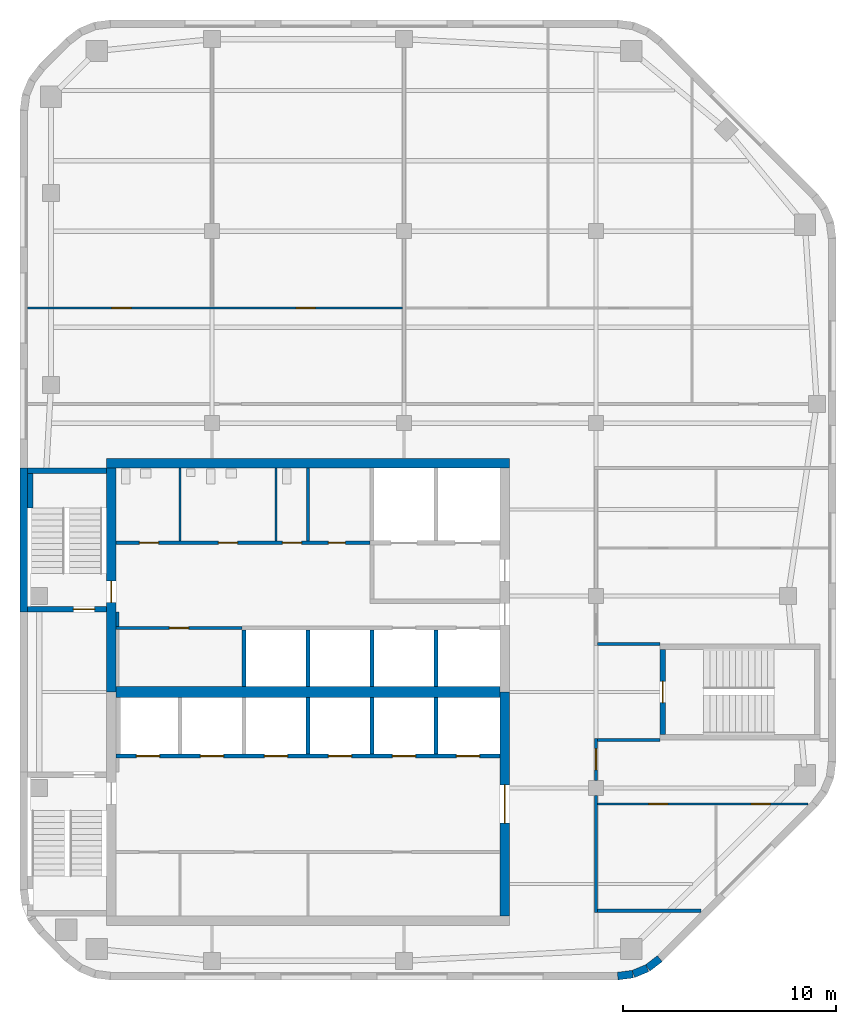
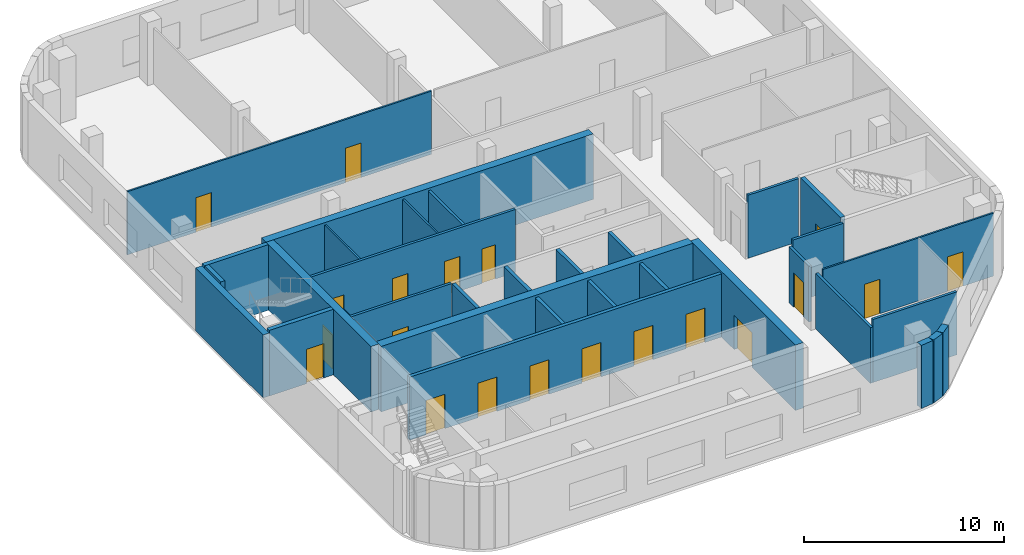
# One storey, part 3 of 7: 33 walls, 20 doors, 20 openings.
"""IFC4 building model written with IfcOpenShell, lengths in metres."""

import ifcopenshell
import ifcopenshell.guid

model = None  # the IFC model being written
_history = None  # IfcOwnerHistory: only IFC2X3 demands one
_inside = {}  # id of a spatial element -> (the spatial element, [elements in it])
_under = {}  # id of a project, library or spatial element -> (it, [spatial elements below it])
_declared = {}  # id of a project -> (the project, [libraries it declares])
_typed = {}  # id of a type object -> (the type object, [elements of that type])
_made_of = {}  # id of a material, layer set ... -> (it, [elements and type objects made of it])


def new_model(schema):
    """Start an empty IFC model of exactly this schema.

    Asked for "IFC4X3", IfcOpenShell would pick the latest addendum, in which some entities
    have other attributes; the version numbers below select the first issue.
    IFC2X3 requires an IfcOwnerHistory on every rooted entity: one is made here for all.
    """
    global model, _history
    if schema == "IFC4X3":
        model = ifcopenshell.file(schema_version=(4, 3, 0, 0))
    else:
        model = ifcopenshell.file(schema=schema)
    _inside.clear()
    _under.clear()
    _declared.clear()
    _typed.clear()
    _made_of.clear()
    _history = None
    if model.schema == "IFC2X3":
        org = make("IfcOrganization", Name="unknown")
        user = make(
            "IfcPersonAndOrganization",
            ThePerson=make("IfcPerson", FamilyName="unknown"),
            TheOrganization=org,
        )
        app = make(
            "IfcApplication",
            ApplicationDeveloper=org,
            Version="unknown",
            ApplicationFullName="unknown",
            ApplicationIdentifier="unknown",
        )
        _history = make(
            "IfcOwnerHistory",
            OwningUser=user,
            OwningApplication=app,
            ChangeAction="ADDED",
            CreationDate=0,
        )
    return model


def make(cls, **values):
    """One entity of the class cls with the attributes given. An attribute that is None is left unset."""
    return model.create_entity(
        cls, **{name: value for name, value in values.items() if value is not None}
    )


def rooted(cls, **values):
    """An entity with a GlobalId (a new one), such as an element, a storey or a relation."""
    return make(cls, GlobalId=ifcopenshell.guid.new(), OwnerHistory=_history, **values)


def si_unit(unit_type, name, prefix=None):
    """IfcSIUnit, for example si_unit("LENGTHUNIT", "METRE", prefix="MILLI")."""
    return make("IfcSIUnit", UnitType=unit_type, Prefix=prefix, Name=name)


def assignment(units):
    """IfcUnitAssignment: the units of a project."""
    return None if units is None else make("IfcUnitAssignment", Units=units)


def point(xyz):
    """IfcCartesianPoint."""
    return None if xyz is None else make("IfcCartesianPoint", Coordinates=xyz)


def direction(xyz):
    """IfcDirection."""
    return None if xyz is None else make("IfcDirection", DirectionRatios=xyz)


def frame(location, z_axis=None, x_axis=None):
    """IfcAxis2Placement3D, a coordinate frame: its origin and axes. An axis left out is left unset."""
    return make(
        "IfcAxis2Placement3D",
        Location=point(location),
        Axis=direction(z_axis),
        RefDirection=direction(x_axis),
    )


def frame_2d(location, x_axis=None):
    """IfcAxis2Placement2D, a coordinate frame in the plane: its origin and x axis."""
    return make(
        "IfcAxis2Placement2D", Location=point(location), RefDirection=direction(x_axis)
    )


def origin():
    """The frame at (0, 0, 0) with its axes left unset."""
    return frame((0.0, 0.0, 0.0))


def place(relative_to, where):
    """IfcLocalPlacement: puts the frame where relative to a parent placement (None: the world)."""
    return make(
        "IfcLocalPlacement", PlacementRelTo=relative_to, RelativePlacement=where
    )


def context(
    kind, dimensions, precision=None, world=None, true_north=None, identifier=None
):
    """IfcGeometricRepresentationContext, for example the 3D "Model" context."""
    return make(
        "IfcGeometricRepresentationContext",
        ContextIdentifier=identifier,
        ContextType=kind,
        CoordinateSpaceDimension=dimensions,
        Precision=precision,
        WorldCoordinateSystem=world,
        TrueNorth=true_north,
    )


def subcontext(parent, identifier, kind, view, scale=None):
    """IfcGeometricRepresentationSubContext, for example "Body" below "Model"."""
    return make(
        "IfcGeometricRepresentationSubContext",
        ContextIdentifier=identifier,
        ContextType=kind,
        ParentContext=parent,
        TargetScale=scale,
        TargetView=view,
    )


def project(units=None, contexts=None):
    """IfcProject with its units and contexts."""
    return rooted(
        "IfcProject",
        Name="project",
        RepresentationContexts=contexts,
        UnitsInContext=assignment(units),
    )


def spatial(cls, under=None, at=None, **own):
    """A site, building, storey or space (cls), placed at a placement, below another one or the project."""
    s = rooted(cls, ObjectPlacement=at, **own)
    if under is not None:
        _under.setdefault(under.id(), (under, []))[1].append(s)
    return s


def profile(cls, at=None, kind="AREA", **sizes):
    """A parametric profile (cls). Its sizes go by their IFC names, for example OverallWidth=200.0."""
    return make(cls, ProfileType=kind, Position=at, **sizes)


def rectangle(**sizes):
    """IfcRectangleProfileDef."""
    return profile("IfcRectangleProfileDef", **sizes)


def extrude(swept, where, along, depth):
    """IfcExtrudedAreaSolid: the profile swept, set in the frame where, extruded along a direction by depth."""
    return make(
        "IfcExtrudedAreaSolid",
        SweptArea=swept,
        Position=where,
        ExtrudedDirection=direction(along),
        Depth=depth,
    )


def shape(context_of_items, identifier, shape_type, items):
    """IfcShapeRepresentation: the items that make up one representation, for example the "Body"."""
    return make(
        "IfcShapeRepresentation",
        ContextOfItems=context_of_items,
        RepresentationIdentifier=identifier,
        RepresentationType=shape_type,
        Items=items,
    )


def material(Name=None, Category=None):
    """IfcMaterial."""
    return make("IfcMaterial", Name=Name, Category=Category)


def layer(
    of_material, thickness, ventilated=None, Name=None, Category=None, Priority=None
):
    """IfcMaterialLayer: one layer of a wall or slab, of a material (None: an air gap)."""
    return make(
        "IfcMaterialLayer",
        Material=of_material,
        LayerThickness=thickness,
        IsVentilated=ventilated,
        Name=Name,
        Category=Category,
        Priority=Priority,
    )


def layer_set(layers, Name=None):
    """IfcMaterialLayerSet."""
    return make("IfcMaterialLayerSet", MaterialLayers=layers, LayerSetName=Name)


def made_of(thing, what):
    """Note that an element or type object is made of a material, layer set ...; save() writes the relation."""
    if what is not None:
        _made_of.setdefault(what.id(), (what, []))[1].append(thing)
    return thing


def type_object(cls, material=None, **own):
    """A type object (cls), such as IfcWallType, which elements share."""
    return made_of(rooted(cls, **own), material)


def element(
    cls,
    number,
    at=None,
    inside=None,
    cuts=None,
    type_object=None,
    material=None,
    context=None,
    identifier="Body",
    shape_type=None,
    held_by="IfcProductDefinitionShape",
    body=None,
    shapes=None,
    **own,
):
    """One element of the class cls, such as IfcWall. Its Tag is "e" and its number.

    at: its placement. inside: the storey or other place that contains it. cuts: it is an
    opening in that element (IfcRelVoidsElement). A single representation is given by context,
    identifier, shape_type and body (its items); several are given by shapes. held_by: the class
    of the entity that holds the representations. save() writes the other relations.
    """
    e = rooted(cls, Tag="e%d" % number, ObjectPlacement=at, **own)
    if body is not None:
        shapes = [shape(context, identifier, shape_type, body)]
    if shapes is not None:
        e.Representation = make(held_by, Representations=shapes)
    if inside is not None:
        _inside.setdefault(inside.id(), (inside, []))[1].append(e)
    if cuts is not None:
        rooted(
            "IfcRelVoidsElement", RelatingBuildingElement=cuts, RelatedOpeningElement=e
        )
    if type_object is not None:
        _typed.setdefault(type_object.id(), (type_object, []))[1].append(e)
    return made_of(e, material)


def fill(opening, filler):
    """IfcRelFillsElement: the door or window that sits in an opening."""
    return rooted(
        "IfcRelFillsElement",
        RelatingOpeningElement=opening,
        RelatedBuildingElement=filler,
    )


def aggregate(whole, parts):
    """IfcRelAggregates: a whole, such as a stair, and the parts it consists of."""
    return rooted("IfcRelAggregates", RelatingObject=whole, RelatedObjects=parts)


def save(model, path):
    """Write the relations noted so far, then the file.

    IfcRelAggregates (storeys below a building ...), IfcRelContainedInSpatialStructure (elements
    in a storey), IfcRelDefinesByType, IfcRelAssociatesMaterial and IfcRelDeclares: one each for
    every whole, place, type object, material and project.
    """
    for whole, parts in _under.values():
        aggregate(whole, parts)
    for where, things in _inside.values():
        rooted(
            "IfcRelContainedInSpatialStructure",
            RelatedElements=things,
            RelatingStructure=where,
        )
    for kind, things in _typed.values():
        rooted("IfcRelDefinesByType", RelatedObjects=things, RelatingType=kind)
    for what, things in _made_of.values():
        rooted("IfcRelAssociatesMaterial", RelatedObjects=things, RelatingMaterial=what)
    for by, libraries in _declared.values():
        rooted("IfcRelDeclares", RelatingContext=by, RelatedDefinitions=libraries)
    model.write(path)


model = new_model("IFC4")

# Units and contexts
model_context = context("Model", 3, precision=1e-05, world=origin(), true_north=direction((0.0, 1.0)))
body_context = subcontext(model_context, "Body", "Model", "MODEL_VIEW")
ifc_project = project(units=[si_unit("LENGTHUNIT", "METRE"), si_unit("AREAUNIT", "SQUARE_METRE"), si_unit("VOLUMEUNIT", "CUBIC_METRE"), si_unit("PLANEANGLEUNIT", "RADIAN"), si_unit("MASSUNIT", "GRAM", prefix="KILO")], contexts=[model_context])

# Site, building, storey
site_placement = place(None, origin())
site = spatial("IfcSite", under=ifc_project, at=site_placement, CompositionType="ELEMENT")
building_placement = place(site_placement, origin())
building = spatial("IfcBuilding", under=site, at=building_placement, Name="Cinnabar Reach Civic Tower", CompositionType="ELEMENT")
storey_placement = place(building_placement, frame((0.0, 0.0, 263.0)))
storey = spatial("IfcBuildingStorey", under=building, at=storey_placement, Name="L63", CompositionType="ELEMENT", Elevation=263.0)

# Walls
ifc_material_1 = material(Name="Facing brick with insulated backing", Category="masonry")
ifc_layer_1 = layer(ifc_material_1, 0.36)
ifc_layer_set_1 = layer_set([ifc_layer_1], Name="Brick corner wall")
wall_type_1 = type_object("IfcWallType", Name="Brick corner wall", PredefinedType="STANDARD", material=ifc_layer_set_1)
for number, where, z_axis, x_axis, name in (
    (1, (28.0186, 18.183, 0.0), (0.0, 0.0, 1.0), (0.99144092581, 0.13055608231, 0.0), "Brick corner wall"),
    (2, (28.7473, 18.2819, 0.0), (0.0, 0.0, 1.0), (0.923871547278, 0.382702709855, 0.0), "Brick corner wall"),
):
    element("IfcWall", number, at=place(storey_placement, frame(where, z_axis=z_axis, x_axis=x_axis)), inside=storey, type_object=wall_type_1, Name=name, PredefinedType="STANDARD", context=body_context, shape_type="SweptSolid", body=[
        extrude(rectangle(XDim=0.7131, YDim=0.36, at=frame_2d((0.3565, 0.0))), origin(), (0.0, 0.0, 1.0), 3.85),
    ])
wall_1_placement = place(storey_placement, frame((29.4255, 18.566, 0.0), z_axis=(0.0, 0.0, 1.0), x_axis=(0.793321924995, 0.608802368033, 0.0)))
element("IfcWall", 3, at=wall_1_placement, inside=storey, type_object=wall_type_1, Name="Brick corner wall", PredefinedType="STANDARD", context=body_context, shape_type="SweptSolid", body=[
    extrude(rectangle(XDim=0.7132, YDim=0.36, at=frame_2d((0.3566, 0.0))), origin(), (0.0, 0.0, 1.0), 3.85),
])
ifc_layer_2 = layer(ifc_material_1, 0.36)
ifc_layer_set_2 = layer_set([ifc_layer_2], Name="Brick pier and spandrel wall")
wall_type_2 = type_object("IfcWallType", Name="Brick pier and spandrel wall", PredefinedType="STANDARD", material=ifc_layer_set_2)
wall_2_placement = place(storey_placement, frame((0.18, 42.0, 0.0), z_axis=(0.0, 0.0, 1.0), x_axis=(0.0, -1.0, 0.0)))
element("IfcWall", 4, at=wall_2_placement, inside=storey, type_object=wall_type_2, Name="Brick facade wall", PredefinedType="STANDARD", context=body_context, shape_type="SweptSolid", body=[
    extrude(rectangle(XDim=6.75, YDim=0.36, at=frame_2d((3.375, 0.0))), origin(), (0.0, 0.0, 1.0), 3.85),
])
ifc_material_2 = material(Name="Concrete C60", Category="concrete")
ifc_layer_3 = layer(ifc_material_2, 0.45)
ifc_layer_set_3 = layer_set([ifc_layer_3], Name="Core wall 450 EI 180")
wall_type_3 = type_object("IfcWallType", Name="Core wall 450 EI 180", PredefinedType="SOLIDWALL", material=ifc_layer_set_3)
wall_3_placement = place(storey_placement, frame((22.95, 42.225, 0.0), z_axis=(0.0, 0.0, 1.0), x_axis=(-1.0, 0.0, 0.0)))
element("IfcWall", 5, at=wall_3_placement, inside=storey, type_object=wall_type_3, Name="Core wall T1 L63 N", PredefinedType="SOLIDWALL", context=body_context, shape_type="SweptSolid", body=[
    extrude(rectangle(XDim=18.9, YDim=0.45, at=frame_2d((9.45, 0.0))), origin(), (0.0, 0.0, 1.0), 4.0),
])

# Wall, opening, door
wall_4_placement = place(storey_placement, frame((22.725, 21.0, 0.0), z_axis=(0.0, 0.0, 1.0), x_axis=(0.0, 1.0, 0.0)))
wall_4 = element("IfcWall", 6, at=wall_4_placement, inside=storey, type_object=wall_type_3, Name="Core wall T1 L63 E", PredefinedType="SOLIDWALL", context=body_context, shape_type="SweptSolid", body=[
    extrude(rectangle(XDim=10.5, YDim=0.45, at=frame_2d((5.25, 0.0))), origin(), (0.0, 0.0, 1.0), 4.0),
])
opening_1_placement = place(wall_4_placement, frame((4.35, 0.0, 0.0)))
opening_1 = element("IfcOpeningElement", 7, at=opening_1_placement, cuts=wall_4, Name="Opening D5520", PredefinedType="OPENING", context=body_context, shape_type="SweptSolid", body=[
    extrude(rectangle(XDim=1.8, YDim=2.1, at=frame_2d((0.9, 1.05))), frame((0.0, 0.235, 0.0), z_axis=(0.0, -1.0, 0.0), x_axis=(1.0, 0.0, 0.0)), (0.0, 0.0, 1.0), 0.47),
])
ifc_material_3 = material(Name="Timber door leaf in steel frame", Category="steel")
door_type_1 = type_object("IfcDoorType", Name="Double swing door 1800 x 2100 T1", OperationType="DOUBLE_DOOR_DOUBLE_SWING", PredefinedType="DOOR", material=ifc_material_3)
door_1_placement = place(opening_1_placement, origin())
door_1 = element("IfcDoor", 8, at=door_1_placement, inside=storey, type_object=door_type_1, Name="Door D5520", OperationType="DOUBLE_DOOR_DOUBLE_SWING", OverallHeight=2.1, OverallWidth=1.8, PredefinedType="DOOR", context=body_context, shape_type="SweptSolid", body=[
    extrude(rectangle(XDim=1.8, YDim=2.1, at=frame_2d((0.9, 1.05))), frame((0.0, 0.025, 0.0), z_axis=(0.0, -1.0, 0.0), x_axis=(1.0, 0.0, 0.0)), (0.0, 0.0, 1.0), 0.05),
])
fill(opening_1, door_1)

wall_5_placement = place(storey_placement, frame((4.275, 42.0, 0.0), z_axis=(0.0, 0.0, 1.0), x_axis=(0.0, -1.0, 0.0)))
wall_5 = element("IfcWall", 9, at=wall_5_placement, inside=storey, type_object=wall_type_3, Name="Core wall T1 L63 W", PredefinedType="SOLIDWALL", context=body_context, shape_type="SweptSolid", body=[
    extrude(rectangle(XDim=10.5, YDim=0.45, at=frame_2d((5.25, 0.0))), origin(), (0.0, 0.0, 1.0), 4.0),
])
opening_2_placement = place(wall_5_placement, frame((5.3, 0.0, 0.0)))
opening_2 = element("IfcOpeningElement", 10, at=opening_2_placement, cuts=wall_5, Name="Opening D5508", PredefinedType="OPENING", context=body_context, shape_type="SweptSolid", body=[
    extrude(rectangle(XDim=1.0, YDim=2.1, at=frame_2d((0.5, 1.05))), frame((0.0, 0.235, 0.0), z_axis=(0.0, -1.0, 0.0), x_axis=(1.0, 0.0, 0.0)), (0.0, 0.0, 1.0), 0.47),
])
door_type_2 = type_object("IfcDoorType", Name="Stair door 1000 x 2100 T1", OperationType="SINGLE_SWING_LEFT", PredefinedType="DOOR", material=ifc_material_3)
door_2_placement = place(opening_2_placement, frame((1.0, 0.0, 0.0), z_axis=(0.0, 0.0, 1.0), x_axis=(-1.0, 0.0, 0.0)))
door_2 = element("IfcDoor", 11, at=door_2_placement, inside=storey, type_object=door_type_2, Name="Door D5508", OperationType="SINGLE_SWING_LEFT", OverallHeight=2.1, OverallWidth=1.0, PredefinedType="DOOR", context=body_context, shape_type="SweptSolid", body=[
    extrude(rectangle(XDim=1.0, YDim=2.1, at=frame_2d((0.5, 1.05))), frame((0.0, 0.025, 0.0), z_axis=(0.0, -1.0, 0.0), x_axis=(1.0, 0.0, 0.0)), (0.0, 0.0, 1.0), 0.05),
])
fill(opening_2, door_2)

# Wall
ifc_layer_4 = layer(ifc_material_2, 0.5)
ifc_layer_set_4 = layer_set([ifc_layer_4], Name="Core wall 500 EI 180")
wall_type_4 = type_object("IfcWallType", Name="Core wall 500 EI 180", PredefinedType="SOLIDWALL", material=ifc_layer_set_4)
wall_6_placement = place(storey_placement, frame((4.5, 31.5, 0.0), z_axis=(0.0, 0.0, 1.0), x_axis=(1.0, 0.0, 0.0)))
element("IfcWall", 12, at=wall_6_placement, inside=storey, type_object=wall_type_4, Name="Core spine wall T1 L63", PredefinedType="SOLIDWALL", context=body_context, shape_type="SweptSolid", body=[
    extrude(rectangle(XDim=18.0, YDim=0.5, at=frame_2d((9.0, 0.0))), origin(), (0.0, 0.0, 1.0), 4.0),
])

# Wall, openings, doors
ifc_material_4 = material(Name="Gypsum board on steel studs, double layer", Category="steel")
ifc_layer_5 = layer(ifc_material_4, 0.15)
ifc_layer_set_5 = layer_set([ifc_layer_5], Name="Corridor wall 150 T1")
wall_type_5 = type_object("IfcWallType", Name="Corridor wall 150 T1", PredefinedType="PARTITIONING", material=ifc_layer_set_5)
wall_7_placement = place(storey_placement, frame((4.5, 38.5, 0.0), z_axis=(0.0, 0.0, 1.0), x_axis=(1.0, 0.0, 0.0)))
wall_7 = element("IfcWall", 13, at=wall_7_placement, inside=storey, type_object=wall_type_5, Name="Corridor wall 20", PredefinedType="PARTITIONING", context=body_context, shape_type="SweptSolid", body=[
    extrude(rectangle(XDim=11.9, YDim=0.15, at=frame_2d((5.95, 0.0))), origin(), (0.0, 0.0, 1.0), 3.85),
])
opening_3_placement = place(wall_7_placement, frame((1.1, 0.0, 0.0)))
opening_3 = element("IfcOpeningElement", 14, at=opening_3_placement, cuts=wall_7, Name="Opening D5528", PredefinedType="OPENING", context=body_context, shape_type="SweptSolid", body=[
    extrude(rectangle(XDim=0.9, YDim=2.1, at=frame_2d((0.45, 1.05))), frame((0.0, 0.085, 0.0), z_axis=(0.0, -1.0, 0.0), x_axis=(1.0, 0.0, 0.0)), (0.0, 0.0, 1.0), 0.17),
])
opening_4_placement = place(wall_7_placement, frame((4.8, 0.0, 0.0)))
opening_4 = element("IfcOpeningElement", 15, at=opening_4_placement, cuts=wall_7, Name="Opening D5529", PredefinedType="OPENING", context=body_context, shape_type="SweptSolid", body=[
    extrude(rectangle(XDim=0.9, YDim=2.1, at=frame_2d((0.45, 1.05))), frame((0.0, 0.085, 0.0), z_axis=(0.0, -1.0, 0.0), x_axis=(1.0, 0.0, 0.0)), (0.0, 0.0, 1.0), 0.17),
])
opening_5_placement = place(wall_7_placement, frame((7.8, 0.0, 0.0)))
opening_5 = element("IfcOpeningElement", 16, at=opening_5_placement, cuts=wall_7, Name="Opening D5530", PredefinedType="OPENING", context=body_context, shape_type="SweptSolid", body=[
    extrude(rectangle(XDim=0.9, YDim=2.1, at=frame_2d((0.45, 1.05))), frame((0.0, 0.085, 0.0), z_axis=(0.0, -1.0, 0.0), x_axis=(1.0, 0.0, 0.0)), (0.0, 0.0, 1.0), 0.17),
])
opening_6_placement = place(wall_7_placement, frame((9.95, 0.0, 0.0)))
opening_6 = element("IfcOpeningElement", 17, at=opening_6_placement, cuts=wall_7, Name="Opening D5531", PredefinedType="OPENING", context=body_context, shape_type="SweptSolid", body=[
    extrude(rectangle(XDim=0.8, YDim=2.1, at=frame_2d((0.4, 1.05))), frame((0.0, 0.085, 0.0), z_axis=(0.0, -1.0, 0.0), x_axis=(1.0, 0.0, 0.0)), (0.0, 0.0, 1.0), 0.17),
])
door_type_3 = type_object("IfcDoorType", Name="Riser access door 800 x 2100 T1", OperationType="SINGLE_SWING_LEFT", PredefinedType="DOOR", material=ifc_material_3)
door_3_placement = place(opening_6_placement, origin())
door_3 = element("IfcDoor", 18, at=door_3_placement, inside=storey, type_object=door_type_3, Name="Door D5531", OperationType="SINGLE_SWING_RIGHT", OverallHeight=2.1, OverallWidth=0.8, PredefinedType="DOOR", context=body_context, shape_type="SweptSolid", body=[
    extrude(rectangle(XDim=0.8, YDim=2.1, at=frame_2d((0.4, 1.05))), frame((0.0, 0.025, 0.0), z_axis=(0.0, -1.0, 0.0), x_axis=(1.0, 0.0, 0.0)), (0.0, 0.0, 1.0), 0.05),
])
fill(opening_6, door_3)
door_type_4 = type_object("IfcDoorType", Name="Single swing door 900 x 2100 corridor T1", OperationType="SINGLE_SWING_LEFT", PredefinedType="DOOR", material=ifc_material_3)
door_4_placement = place(opening_3_placement, origin())
door_4 = element("IfcDoor", 19, at=door_4_placement, inside=storey, type_object=door_type_4, Name="Door D5528", OperationType="SINGLE_SWING_LEFT", OverallHeight=2.1, OverallWidth=0.9, PredefinedType="DOOR", context=body_context, shape_type="SweptSolid", body=[
    extrude(rectangle(XDim=0.9, YDim=2.1, at=frame_2d((0.45, 1.05))), frame((0.0, 0.025, 0.0), z_axis=(0.0, -1.0, 0.0), x_axis=(1.0, 0.0, 0.0)), (0.0, 0.0, 1.0), 0.05),
])
fill(opening_3, door_4)
door_5_placement = place(opening_4_placement, origin())
door_5 = element("IfcDoor", 20, at=door_5_placement, inside=storey, type_object=door_type_4, Name="Door D5529", OperationType="SINGLE_SWING_RIGHT", OverallHeight=2.1, OverallWidth=0.9, PredefinedType="DOOR", context=body_context, shape_type="SweptSolid", body=[
    extrude(rectangle(XDim=0.9, YDim=2.1, at=frame_2d((0.45, 1.05))), frame((0.0, 0.025, 0.0), z_axis=(0.0, -1.0, 0.0), x_axis=(1.0, 0.0, 0.0)), (0.0, 0.0, 1.0), 0.05),
])
fill(opening_4, door_5)
door_6_placement = place(opening_5_placement, origin())
door_6 = element("IfcDoor", 21, at=door_6_placement, inside=storey, type_object=door_type_4, Name="Door D5530", OperationType="SINGLE_SWING_RIGHT", OverallHeight=2.1, OverallWidth=0.9, PredefinedType="DOOR", context=body_context, shape_type="SweptSolid", body=[
    extrude(rectangle(XDim=0.9, YDim=2.1, at=frame_2d((0.45, 1.05))), frame((0.0, 0.025, 0.0), z_axis=(0.0, -1.0, 0.0), x_axis=(1.0, 0.0, 0.0)), (0.0, 0.0, 1.0), 0.05),
])
fill(opening_5, door_6)

# Wall
wall_8_placement = place(storey_placement, frame((27.0, 21.175, 0.0), z_axis=(0.0, 0.0, 1.0), x_axis=(0.0, 1.0, 0.0)))
element("IfcWall", 22, at=wall_8_placement, inside=storey, type_object=wall_type_5, Name="Corridor wall 24", PredefinedType="PARTITIONING", context=body_context, shape_type="SweptSolid", body=[
    extrude(rectangle(XDim=5.475, YDim=0.15, at=frame_2d((2.7375, 0.0))), origin(), (0.0, 0.0, 1.0), 3.4),
])

# Wall, opening, door
wall_9_placement = place(storey_placement, frame((27.0, 27.35, 0.0), z_axis=(0.0, 0.0, 1.0), x_axis=(0.0, 1.0, 0.0)))
wall_9 = element("IfcWall", 23, at=wall_9_placement, inside=storey, type_object=wall_type_5, Name="Corridor wall 25", PredefinedType="PARTITIONING", context=body_context, shape_type="SweptSolid", body=[
    extrude(rectangle(XDim=1.975, YDim=0.15, at=frame_2d((0.9875, 0.0))), origin(), (0.0, 0.0, 1.0), 3.4),
])
opening_7_placement = place(wall_9_placement, frame((0.5, 0.0, 0.0)))
opening_7 = element("IfcOpeningElement", 24, at=opening_7_placement, cuts=wall_9, Name="Opening D5535", PredefinedType="OPENING", context=body_context, shape_type="SweptSolid", body=[
    extrude(rectangle(XDim=1.0, YDim=2.1, at=frame_2d((0.5, 1.05))), frame((0.0, 0.085, 0.0), z_axis=(0.0, -1.0, 0.0), x_axis=(1.0, 0.0, 0.0)), (0.0, 0.0, 1.0), 0.17),
])
door_type_5 = type_object("IfcDoorType", Name="Tenancy entrance door 1000 x 2100 T1", OperationType="SINGLE_SWING_LEFT", PredefinedType="DOOR", material=ifc_material_3)
door_7_placement = place(opening_7_placement, frame((1.0, 0.0, 0.0), z_axis=(0.0, 0.0, 1.0), x_axis=(-1.0, 0.0, 0.0)))
door_7 = element("IfcDoor", 25, at=door_7_placement, inside=storey, type_object=door_type_5, Name="Door D5535", OperationType="SINGLE_SWING_LEFT", OverallHeight=2.1, OverallWidth=1.0, PredefinedType="DOOR", context=body_context, shape_type="SweptSolid", body=[
    extrude(rectangle(XDim=1.0, YDim=2.1, at=frame_2d((0.5, 1.05))), frame((0.0, 0.025, 0.0), z_axis=(0.0, -1.0, 0.0), x_axis=(1.0, 0.0, 0.0)), (0.0, 0.0, 1.0), 0.05),
])
fill(opening_7, door_7)

wall_10_placement = place(storey_placement, frame((4.5, 34.5, 0.0), z_axis=(0.0, 0.0, 1.0), x_axis=(1.0, 0.0, 0.0)))
wall_10 = element("IfcWall", 26, at=wall_10_placement, inside=storey, type_object=wall_type_5, Name="Corridor wall 26", PredefinedType="PARTITIONING", context=body_context, shape_type="SweptSolid", body=[
    extrude(rectangle(XDim=5.9, YDim=0.15, at=frame_2d((2.95, 0.0))), origin(), (0.0, 0.0, 1.0), 3.85),
])
opening_8_placement = place(wall_10_placement, frame((2.5, 0.0, 0.0)))
opening_8 = element("IfcOpeningElement", 27, at=opening_8_placement, cuts=wall_10, Name="Opening D5527", PredefinedType="OPENING", context=body_context, shape_type="SweptSolid", body=[
    extrude(rectangle(XDim=0.9, YDim=2.1, at=frame_2d((0.45, 1.05))), frame((0.0, 0.085, 0.0), z_axis=(0.0, -1.0, 0.0), x_axis=(1.0, 0.0, 0.0)), (0.0, 0.0, 1.0), 0.17),
])
door_8_placement = place(opening_8_placement, frame((0.9, 0.0, 0.0), z_axis=(0.0, 0.0, 1.0), x_axis=(-1.0, 0.0, 0.0)))
door_8 = element("IfcDoor", 28, at=door_8_placement, inside=storey, type_object=door_type_4, Name="Door D5527", OperationType="SINGLE_SWING_RIGHT", OverallHeight=2.1, OverallWidth=0.9, PredefinedType="DOOR", context=body_context, shape_type="SweptSolid", body=[
    extrude(rectangle(XDim=0.9, YDim=2.1, at=frame_2d((0.45, 1.05))), frame((0.0, 0.025, 0.0), z_axis=(0.0, -1.0, 0.0), x_axis=(1.0, 0.0, 0.0)), (0.0, 0.0, 1.0), 0.05),
])
fill(opening_8, door_8)

# Walls
wall_11_placement = place(storey_placement, frame((27.075, 21.25, 0.0), z_axis=(0.0, 0.0, 1.0), x_axis=(1.0, 0.0, 0.0)))
element("IfcWall", 29, at=wall_11_placement, inside=storey, type_object=wall_type_5, Name="Corridor wall 27", PredefinedType="PARTITIONING", context=body_context, shape_type="SweptSolid", body=[
    extrude(rectangle(XDim=4.841, YDim=0.15, at=frame_2d((2.4205, 0.0))), origin(), (0.0, 0.0, 1.0), 3.85),
])
wall_12_placement = place(storey_placement, frame((4.575, 34.575, 0.0), z_axis=(0.0, 0.0, 1.0), x_axis=(0.0, 1.0, 0.0)))
element("IfcWall", 30, at=wall_12_placement, inside=storey, type_object=wall_type_5, Name="Corridor wall 28", PredefinedType="PARTITIONING", context=body_context, shape_type="SweptSolid", body=[
    extrude(rectangle(XDim=0.675, YDim=0.15, at=frame_2d((0.3375, 0.0))), origin(), (0.0, 0.0, 1.0), 3.85),
])
for number, where, z_axis, x_axis, name in (
    (31, (27.075, 29.25, 0.0), (0.0, 0.0, 1.0), (1.0, 0.0, 0.0), "Corridor wall 30"),
    (32, (27.075, 33.75, 0.0), (0.0, 0.0, 1.0), (1.0, 0.0, 0.0), "Corridor wall 31"),
):
    element("IfcWall", number, at=place(storey_placement, frame(where, z_axis=z_axis, x_axis=x_axis)), inside=storey, type_object=wall_type_5, Name=name, PredefinedType="PARTITIONING", context=body_context, shape_type="SweptSolid", body=[
        extrude(rectangle(XDim=2.925, YDim=0.15, at=frame_2d((1.4625, 0.0))), origin(), (0.0, 0.0, 1.0), 3.85),
    ])

# Wall, openings, doors
ifc_material_5 = material(Name="Blockwork", Category="masonry")
ifc_layer_6 = layer(ifc_material_5, 0.2)
ifc_layer_set_6 = layer_set([ifc_layer_6], Name="Lift shaft wall 200 T1")
wall_type_6 = type_object("IfcWallType", Name="Lift shaft wall 200 T1", PredefinedType="PARTITIONING", material=ifc_layer_set_6)
wall_13_placement = place(storey_placement, frame((4.5, 28.5, 0.0), z_axis=(0.0, 0.0, 1.0), x_axis=(1.0, 0.0, 0.0)))
wall_13 = element("IfcWall", 33, at=wall_13_placement, inside=storey, type_object=wall_type_6, Name="Lift shaft wall 4", PredefinedType="PARTITIONING", context=body_context, shape_type="SweptSolid", body=[
    extrude(rectangle(XDim=18.0, YDim=0.2, at=frame_2d((9.0, 0.0))), origin(), (0.0, 0.0, 1.0), 3.85),
])
opening_9_placement = place(wall_13_placement, frame((0.95, 0.0, 0.0)))
opening_9 = element("IfcOpeningElement", 34, at=opening_9_placement, cuts=wall_13, Name="Opening D5510", PredefinedType="OPENING", context=body_context, shape_type="SweptSolid", body=[
    extrude(rectangle(XDim=1.1, YDim=2.1, at=frame_2d((0.55, 1.05))), frame((0.0, 0.11, 0.0), z_axis=(0.0, -1.0, 0.0), x_axis=(1.0, 0.0, 0.0)), (0.0, 0.0, 1.0), 0.22),
])
opening_10_placement = place(wall_13_placement, frame((3.95, 0.0, 0.0)))
opening_10 = element("IfcOpeningElement", 35, at=opening_10_placement, cuts=wall_13, Name="Opening D5511", PredefinedType="OPENING", context=body_context, shape_type="SweptSolid", body=[
    extrude(rectangle(XDim=1.1, YDim=2.1, at=frame_2d((0.55, 1.05))), frame((0.0, 0.11, 0.0), z_axis=(0.0, -1.0, 0.0), x_axis=(1.0, 0.0, 0.0)), (0.0, 0.0, 1.0), 0.22),
])
opening_11_placement = place(wall_13_placement, frame((6.95, 0.0, 0.0)))
opening_11 = element("IfcOpeningElement", 36, at=opening_11_placement, cuts=wall_13, Name="Opening D5512", PredefinedType="OPENING", context=body_context, shape_type="SweptSolid", body=[
    extrude(rectangle(XDim=1.1, YDim=2.1, at=frame_2d((0.55, 1.05))), frame((0.0, 0.11, 0.0), z_axis=(0.0, -1.0, 0.0), x_axis=(1.0, 0.0, 0.0)), (0.0, 0.0, 1.0), 0.22),
])
opening_12_placement = place(wall_13_placement, frame((9.95, 0.0, 0.0)))
opening_12 = element("IfcOpeningElement", 37, at=opening_12_placement, cuts=wall_13, Name="Opening D5513", PredefinedType="OPENING", context=body_context, shape_type="SweptSolid", body=[
    extrude(rectangle(XDim=1.1, YDim=2.1, at=frame_2d((0.55, 1.05))), frame((0.0, 0.11, 0.0), z_axis=(0.0, -1.0, 0.0), x_axis=(1.0, 0.0, 0.0)), (0.0, 0.0, 1.0), 0.22),
])
opening_13_placement = place(wall_13_placement, frame((12.95, 0.0, 0.0)))
opening_13 = element("IfcOpeningElement", 38, at=opening_13_placement, cuts=wall_13, Name="Opening D5514", PredefinedType="OPENING", context=body_context, shape_type="SweptSolid", body=[
    extrude(rectangle(XDim=1.1, YDim=2.1, at=frame_2d((0.55, 1.05))), frame((0.0, 0.11, 0.0), z_axis=(0.0, -1.0, 0.0), x_axis=(1.0, 0.0, 0.0)), (0.0, 0.0, 1.0), 0.22),
])
opening_14_placement = place(wall_13_placement, frame((15.95, 0.0, 0.0)))
opening_14 = element("IfcOpeningElement", 39, at=opening_14_placement, cuts=wall_13, Name="Opening D5515", PredefinedType="OPENING", context=body_context, shape_type="SweptSolid", body=[
    extrude(rectangle(XDim=1.1, YDim=2.1, at=frame_2d((0.55, 1.05))), frame((0.0, 0.11, 0.0), z_axis=(0.0, -1.0, 0.0), x_axis=(1.0, 0.0, 0.0)), (0.0, 0.0, 1.0), 0.22),
])
ifc_material_6 = material(Name="Stainless steel sliding door", Category="steel")
door_type_6 = type_object("IfcDoorType", Name="Lift landing door 1100 x 2100 T1", OperationType="SLIDING_TO_LEFT", PredefinedType="DOOR", material=ifc_material_6)
door_9_placement = place(opening_9_placement, origin())
door_9 = element("IfcDoor", 40, at=door_9_placement, inside=storey, type_object=door_type_6, Name="Lift landing door HR1 L63", OperationType="SLIDING_TO_LEFT", OverallHeight=2.1, OverallWidth=1.1, PredefinedType="DOOR", context=body_context, shape_type="SweptSolid", body=[
    extrude(rectangle(XDim=1.1, YDim=2.1, at=frame_2d((0.55, 1.05))), frame((0.0, 0.025, 0.0), z_axis=(0.0, -1.0, 0.0), x_axis=(1.0, 0.0, 0.0)), (0.0, 0.0, 1.0), 0.05),
])
fill(opening_9, door_9)
door_10_placement = place(opening_10_placement, origin())
door_10 = element("IfcDoor", 41, at=door_10_placement, inside=storey, type_object=door_type_6, Name="Lift landing door HR2 L63", OperationType="SLIDING_TO_LEFT", OverallHeight=2.1, OverallWidth=1.1, PredefinedType="DOOR", context=body_context, shape_type="SweptSolid", body=[
    extrude(rectangle(XDim=1.1, YDim=2.1, at=frame_2d((0.55, 1.05))), frame((0.0, 0.025, 0.0), z_axis=(0.0, -1.0, 0.0), x_axis=(1.0, 0.0, 0.0)), (0.0, 0.0, 1.0), 0.05),
])
fill(opening_10, door_10)
door_11_placement = place(opening_11_placement, origin())
door_11 = element("IfcDoor", 42, at=door_11_placement, inside=storey, type_object=door_type_6, Name="Lift landing door HR3 L63", OperationType="SLIDING_TO_LEFT", OverallHeight=2.1, OverallWidth=1.1, PredefinedType="DOOR", context=body_context, shape_type="SweptSolid", body=[
    extrude(rectangle(XDim=1.1, YDim=2.1, at=frame_2d((0.55, 1.05))), frame((0.0, 0.025, 0.0), z_axis=(0.0, -1.0, 0.0), x_axis=(1.0, 0.0, 0.0)), (0.0, 0.0, 1.0), 0.05),
])
fill(opening_11, door_11)
door_12_placement = place(opening_12_placement, origin())
door_12 = element("IfcDoor", 43, at=door_12_placement, inside=storey, type_object=door_type_6, Name="Lift landing door HR4 L63", OperationType="SLIDING_TO_LEFT", OverallHeight=2.1, OverallWidth=1.1, PredefinedType="DOOR", context=body_context, shape_type="SweptSolid", body=[
    extrude(rectangle(XDim=1.1, YDim=2.1, at=frame_2d((0.55, 1.05))), frame((0.0, 0.025, 0.0), z_axis=(0.0, -1.0, 0.0), x_axis=(1.0, 0.0, 0.0)), (0.0, 0.0, 1.0), 0.05),
])
fill(opening_12, door_12)
door_13_placement = place(opening_13_placement, origin())
door_13 = element("IfcDoor", 44, at=door_13_placement, inside=storey, type_object=door_type_6, Name="Lift landing door HR5 L63", OperationType="SLIDING_TO_LEFT", OverallHeight=2.1, OverallWidth=1.1, PredefinedType="DOOR", context=body_context, shape_type="SweptSolid", body=[
    extrude(rectangle(XDim=1.1, YDim=2.1, at=frame_2d((0.55, 1.05))), frame((0.0, 0.025, 0.0), z_axis=(0.0, -1.0, 0.0), x_axis=(1.0, 0.0, 0.0)), (0.0, 0.0, 1.0), 0.05),
])
fill(opening_13, door_13)
door_14_placement = place(opening_14_placement, origin())
door_14 = element("IfcDoor", 45, at=door_14_placement, inside=storey, type_object=door_type_6, Name="Lift landing door HR6 L63", OperationType="SLIDING_TO_LEFT", OverallHeight=2.1, OverallWidth=1.1, PredefinedType="DOOR", context=body_context, shape_type="SweptSolid", body=[
    extrude(rectangle(XDim=1.1, YDim=2.1, at=frame_2d((0.55, 1.05))), frame((0.0, 0.025, 0.0), z_axis=(0.0, -1.0, 0.0), x_axis=(1.0, 0.0, 0.0)), (0.0, 0.0, 1.0), 0.05),
])
fill(opening_14, door_14)

# Walls
for number, where, z_axis, x_axis, name in (
    (46, (10.5, 31.75, 0.0), (0.0, 0.0, 1.0), (0.0, 1.0, 0.0), "Lift shaft wall 7"),
    (47, (13.5, 28.6, 0.0), (0.0, 0.0, 1.0), (0.0, 1.0, 0.0), "Lift shaft wall 8"),
    (48, (13.5, 31.75, 0.0), (0.0, 0.0, 1.0), (0.0, 1.0, 0.0), "Lift shaft wall 9"),
    (49, (16.5, 28.6, 0.0), (0.0, 0.0, 1.0), (0.0, 1.0, 0.0), "Lift shaft wall 10"),
    (50, (16.5, 31.75, 0.0), (0.0, 0.0, 1.0), (0.0, 1.0, 0.0), "Lift shaft wall 11"),
    (51, (19.5, 28.6, 0.0), (0.0, 0.0, 1.0), (0.0, 1.0, 0.0), "Lift shaft wall 12"),
    (52, (19.5, 31.75, 0.0), (0.0, 0.0, 1.0), (0.0, 1.0, 0.0), "Lift shaft wall 13"),
):
    element("IfcWall", number, at=place(storey_placement, frame(where, z_axis=z_axis, x_axis=x_axis)), inside=storey, type_object=wall_type_6, Name=name, PredefinedType="PARTITIONING", context=body_context, shape_type="SweptSolid", body=[
        extrude(rectangle(XDim=2.65, YDim=0.2, at=frame_2d((1.325, 0.0))), origin(), (0.0, 0.0, 1.0), 3.85),
    ])

# Wall, openings, doors
ifc_material_7 = material(Name="Gypsum board on steel studs", Category="steel")
ifc_layer_7 = layer(ifc_material_7, 0.1)
ifc_layer_set_7 = layer_set([ifc_layer_7], Name="Partition wall 100 T1")
wall_type_7 = type_object("IfcWallType", Name="Partition wall 100 T1", PredefinedType="PARTITIONING", material=ifc_layer_set_7)
wall_14_placement = place(storey_placement, frame((0.36, 49.5, 0.0), z_axis=(0.0, 0.0, 1.0), x_axis=(1.0, 0.0, 0.0)))
wall_14 = element("IfcWall", 53, at=wall_14_placement, inside=storey, type_object=wall_type_7, Name="Partition wall 38", PredefinedType="PARTITIONING", context=body_context, shape_type="SweptSolid", body=[
    extrude(rectangle(XDim=17.565, YDim=0.1, at=frame_2d((8.7825, 0.0))), origin(), (0.0, 0.0, 1.0), 3.85),
])
opening_15_placement = place(wall_14_placement, frame((3.95, 0.0, 0.0)))
opening_15 = element("IfcOpeningElement", 54, at=opening_15_placement, cuts=wall_14, Name="Opening D5539", PredefinedType="OPENING", context=body_context, shape_type="SweptSolid", body=[
    extrude(rectangle(XDim=0.9, YDim=2.1, at=frame_2d((0.45, 1.05))), frame((0.0, 0.06, 0.0), z_axis=(0.0, -1.0, 0.0), x_axis=(1.0, 0.0, 0.0)), (0.0, 0.0, 1.0), 0.12),
])
opening_16_placement = place(wall_14_placement, frame((12.59, 0.0, 0.0)))
opening_16 = element("IfcOpeningElement", 55, at=opening_16_placement, cuts=wall_14, Name="Opening D5540", PredefinedType="OPENING", context=body_context, shape_type="SweptSolid", body=[
    extrude(rectangle(XDim=0.9, YDim=2.1, at=frame_2d((0.45, 1.05))), frame((0.0, 0.06, 0.0), z_axis=(0.0, -1.0, 0.0), x_axis=(1.0, 0.0, 0.0)), (0.0, 0.0, 1.0), 0.12),
])
door_type_7 = type_object("IfcDoorType", Name="Single swing door 900 x 2100 T1", OperationType="SINGLE_SWING_LEFT", PredefinedType="DOOR", material=ifc_material_3)
door_15_placement = place(opening_15_placement, frame((0.9, 0.0, 0.0), z_axis=(0.0, 0.0, 1.0), x_axis=(-1.0, 0.0, 0.0)))
door_15 = element("IfcDoor", 56, at=door_15_placement, inside=storey, type_object=door_type_7, Name="Door D5539", OperationType="SINGLE_SWING_LEFT", OverallHeight=2.1, OverallWidth=0.9, PredefinedType="DOOR", context=body_context, shape_type="SweptSolid", body=[
    extrude(rectangle(XDim=0.9, YDim=2.1, at=frame_2d((0.45, 1.05))), frame((0.0, 0.025, 0.0), z_axis=(0.0, -1.0, 0.0), x_axis=(1.0, 0.0, 0.0)), (0.0, 0.0, 1.0), 0.05),
])
fill(opening_15, door_15)
door_16_placement = place(opening_16_placement, frame((0.9, 0.0, 0.0), z_axis=(0.0, 0.0, 1.0), x_axis=(-1.0, 0.0, 0.0)))
door_16 = element("IfcDoor", 57, at=door_16_placement, inside=storey, type_object=door_type_7, Name="Door D5540", OperationType="SINGLE_SWING_RIGHT", OverallHeight=2.1, OverallWidth=0.9, PredefinedType="DOOR", context=body_context, shape_type="SweptSolid", body=[
    extrude(rectangle(XDim=0.9, YDim=2.1, at=frame_2d((0.45, 1.05))), frame((0.0, 0.025, 0.0), z_axis=(0.0, -1.0, 0.0), x_axis=(1.0, 0.0, 0.0)), (0.0, 0.0, 1.0), 0.05),
])
fill(opening_16, door_16)

wall_15_placement = place(storey_placement, frame((27.075, 26.25, 0.0), z_axis=(0.0, 0.0, 1.0), x_axis=(1.0, 0.0, 0.0)))
wall_15 = element("IfcWall", 58, at=wall_15_placement, inside=storey, type_object=wall_type_7, Name="Partition wall 45", PredefinedType="PARTITIONING", context=body_context, shape_type="SweptSolid", body=[
    extrude(rectangle(XDim=9.8659, YDim=0.1, at=frame_2d((4.9329, 0.0))), origin(), (0.0, 0.0, 1.0), 3.85),
])
opening_17_placement = place(wall_15_placement, frame((2.4, 0.0, 0.0)))
opening_17 = element("IfcOpeningElement", 59, at=opening_17_placement, cuts=wall_15, Name="Opening D5536", PredefinedType="OPENING", context=body_context, shape_type="SweptSolid", body=[
    extrude(rectangle(XDim=0.9, YDim=2.1, at=frame_2d((0.45, 1.05))), frame((0.0, 0.06, 0.0), z_axis=(0.0, -1.0, 0.0), x_axis=(1.0, 0.0, 0.0)), (0.0, 0.0, 1.0), 0.12),
])
opening_18_placement = place(wall_15_placement, frame((7.2, 0.0, 0.0)))
opening_18 = element("IfcOpeningElement", 60, at=opening_18_placement, cuts=wall_15, Name="Opening D5537", PredefinedType="OPENING", context=body_context, shape_type="SweptSolid", body=[
    extrude(rectangle(XDim=0.9, YDim=2.1, at=frame_2d((0.45, 1.05))), frame((0.0, 0.06, 0.0), z_axis=(0.0, -1.0, 0.0), x_axis=(1.0, 0.0, 0.0)), (0.0, 0.0, 1.0), 0.12),
])
door_17_placement = place(opening_17_placement, frame((0.9, 0.0, 0.0), z_axis=(0.0, 0.0, 1.0), x_axis=(-1.0, 0.0, 0.0)))
door_17 = element("IfcDoor", 61, at=door_17_placement, inside=storey, type_object=door_type_7, Name="Door D5536", OperationType="SINGLE_SWING_LEFT", OverallHeight=2.1, OverallWidth=0.9, PredefinedType="DOOR", context=body_context, shape_type="SweptSolid", body=[
    extrude(rectangle(XDim=0.9, YDim=2.1, at=frame_2d((0.45, 1.05))), frame((0.0, 0.025, 0.0), z_axis=(0.0, -1.0, 0.0), x_axis=(1.0, 0.0, 0.0)), (0.0, 0.0, 1.0), 0.05),
])
fill(opening_17, door_17)
door_18_placement = place(opening_18_placement, frame((0.9, 0.0, 0.0), z_axis=(0.0, 0.0, 1.0), x_axis=(-1.0, 0.0, 0.0)))
door_18 = element("IfcDoor", 62, at=door_18_placement, inside=storey, type_object=door_type_7, Name="Door D5537", OperationType="SINGLE_SWING_LEFT", OverallHeight=2.1, OverallWidth=0.9, PredefinedType="DOOR", context=body_context, shape_type="SweptSolid", body=[
    extrude(rectangle(XDim=0.9, YDim=2.1, at=frame_2d((0.45, 1.05))), frame((0.0, 0.025, 0.0), z_axis=(0.0, -1.0, 0.0), x_axis=(1.0, 0.0, 0.0)), (0.0, 0.0, 1.0), 0.05),
])
fill(opening_18, door_18)

# Walls
for number, where, z_axis, x_axis, name in (
    (63, (7.5, 38.575, 0.0), (0.0, 0.0, 1.0), (0.0, 1.0, 0.0), "Partition wall 48"),
    (64, (12.0, 38.575, 0.0), (0.0, 0.0, 1.0), (0.0, 1.0, 0.0), "Partition wall 49"),
):
    element("IfcWall", number, at=place(storey_placement, frame(where, z_axis=z_axis, x_axis=x_axis)), inside=storey, type_object=wall_type_7, Name=name, PredefinedType="PARTITIONING", context=body_context, shape_type="SweptSolid", body=[
        extrude(rectangle(XDim=3.425, YDim=0.1, at=frame_2d((1.7125, 0.0))), origin(), (0.0, 0.0, 1.0), 3.85),
    ])
ifc_layer_8 = layer(ifc_material_5, 0.15)
ifc_layer_set_8 = layer_set([ifc_layer_8], Name="Riser wall 150 T1")
wall_type_8 = type_object("IfcWallType", Name="Riser wall 150 T1", PredefinedType="PARTITIONING", material=ifc_layer_set_8)
wall_16_placement = place(storey_placement, frame((13.5, 38.575, 0.0), z_axis=(0.0, 0.0, 1.0), x_axis=(0.0, 1.0, 0.0)))
element("IfcWall", 65, at=wall_16_placement, inside=storey, type_object=wall_type_8, Name="Riser wall 33", PredefinedType="PARTITIONING", context=body_context, shape_type="SweptSolid", body=[
    extrude(rectangle(XDim=3.425, YDim=0.15, at=frame_2d((1.7125, 0.0))), origin(), (0.0, 0.0, 1.0), 3.85),
])

# Wall, opening, door
ifc_layer_9 = layer(ifc_material_2, 0.25)
ifc_layer_set_9 = layer_set([ifc_layer_9], Name="Stair shaft wall 250 EI 120")
wall_type_9 = type_object("IfcWallType", Name="Stair shaft wall 250 EI 120", PredefinedType="SOLIDWALL", material=ifc_layer_set_9)
wall_17_placement = place(storey_placement, frame((0.36, 35.375, 0.0), z_axis=(0.0, 0.0, 1.0), x_axis=(1.0, 0.0, 0.0)))
wall_17 = element("IfcWall", 66, at=wall_17_placement, inside=storey, type_object=wall_type_9, Name="Stair shaft wall T1-S2 L63", PredefinedType="SOLIDWALL", context=body_context, shape_type="SweptSolid", body=[
    extrude(rectangle(XDim=3.69, YDim=0.25, at=frame_2d((1.845, 0.0))), origin(), (0.0, 0.0, 1.0), 4.0),
])
opening_19_placement = place(wall_17_placement, frame((2.14, 0.0, 0.0)))
opening_19 = element("IfcOpeningElement", 67, at=opening_19_placement, cuts=wall_17, Name="Opening D5509", PredefinedType="OPENING", context=body_context, shape_type="SweptSolid", body=[
    extrude(rectangle(XDim=1.0, YDim=2.1, at=frame_2d((0.5, 1.05))), frame((0.0, 0.135, 0.0), z_axis=(0.0, -1.0, 0.0), x_axis=(1.0, 0.0, 0.0)), (0.0, 0.0, 1.0), 0.27),
])
door_19_placement = place(opening_19_placement, origin())
door_19 = element("IfcDoor", 68, at=door_19_placement, inside=storey, type_object=door_type_2, Name="Door D5509", OperationType="SINGLE_SWING_LEFT", OverallHeight=2.1, OverallWidth=1.0, PredefinedType="DOOR", context=body_context, shape_type="SweptSolid", body=[
    extrude(rectangle(XDim=1.0, YDim=2.1, at=frame_2d((0.5, 1.05))), frame((0.0, 0.025, 0.0), z_axis=(0.0, -1.0, 0.0), x_axis=(1.0, 0.0, 0.0)), (0.0, 0.0, 1.0), 0.05),
])
fill(opening_19, door_19)

# Wall
wall_18_placement = place(storey_placement, frame((4.05, 41.875, 0.0), z_axis=(0.0, 0.0, 1.0), x_axis=(-1.0, 0.0, 0.0)))
element("IfcWall", 69, at=wall_18_placement, inside=storey, type_object=wall_type_9, Name="Stair shaft wall T1-S2 L63", PredefinedType="SOLIDWALL", context=body_context, shape_type="SweptSolid", body=[
    extrude(rectangle(XDim=3.69, YDim=0.25, at=frame_2d((1.845, 0.0))), origin(), (0.0, 0.0, 1.0), 4.0),
])

# Wall, opening, door
wall_19_placement = place(storey_placement, frame((30.125, 33.5, 0.0), z_axis=(0.0, 0.0, 1.0), x_axis=(0.0, -1.0, 0.0)))
wall_19 = element("IfcWall", 70, at=wall_19_placement, inside=storey, type_object=wall_type_9, Name="Stair shaft wall T1-S3 L63", PredefinedType="SOLIDWALL", context=body_context, shape_type="SweptSolid", body=[
    extrude(rectangle(XDim=4.0, YDim=0.25, at=frame_2d((2.0, 0.0))), origin(), (0.0, 0.0, 1.0), 4.0),
])
opening_20_placement = place(wall_19_placement, frame((1.5, 0.0, 0.0)))
opening_20 = element("IfcOpeningElement", 71, at=opening_20_placement, cuts=wall_19, Name="Opening D5523", PredefinedType="OPENING", context=body_context, shape_type="SweptSolid", body=[
    extrude(rectangle(XDim=1.0, YDim=2.1, at=frame_2d((0.5, 1.05))), frame((0.0, 0.135, 0.0), z_axis=(0.0, -1.0, 0.0), x_axis=(1.0, 0.0, 0.0)), (0.0, 0.0, 1.0), 0.27),
])
door_20_placement = place(opening_20_placement, origin())
door_20 = element("IfcDoor", 72, at=door_20_placement, inside=storey, type_object=door_type_2, Name="Door D5523", OperationType="SINGLE_SWING_RIGHT", OverallHeight=2.1, OverallWidth=1.0, PredefinedType="DOOR", context=body_context, shape_type="SweptSolid", body=[
    extrude(rectangle(XDim=1.0, YDim=2.1, at=frame_2d((0.5, 1.05))), frame((0.0, 0.025, 0.0), z_axis=(0.0, -1.0, 0.0), x_axis=(1.0, 0.0, 0.0)), (0.0, 0.0, 1.0), 0.05),
])
fill(opening_20, door_20)

# Wall
ifc_material_8 = material(Name="Concrete C40/50", Category="concrete")
ifc_layer_10 = layer(ifc_material_8, 0.24)
ifc_layer_set_10 = layer_set([ifc_layer_10], Name="T1 landing bearer wall 240")
wall_type_10 = type_object("IfcWallType", Name="T1 landing bearer wall 240", PredefinedType="STANDARD", material=ifc_layer_set_10)
wall_20_placement = place(storey_placement, frame((0.48, 40.13, 0.0), z_axis=(0.0, 0.0, 1.0), x_axis=(0.0, 1.0, 0.0)))
element("IfcWall", 73, at=wall_20_placement, inside=storey, type_object=wall_type_10, Name="T1-S2 landing bearer wall", PredefinedType="STANDARD", context=body_context, shape_type="SweptSolid", body=[
    extrude(rectangle(XDim=1.62, YDim=0.24, at=frame_2d((0.81, 0.0))), origin(), (0.0, 0.0, 1.0), 4.0),
])

save(model, "model.ifc")
